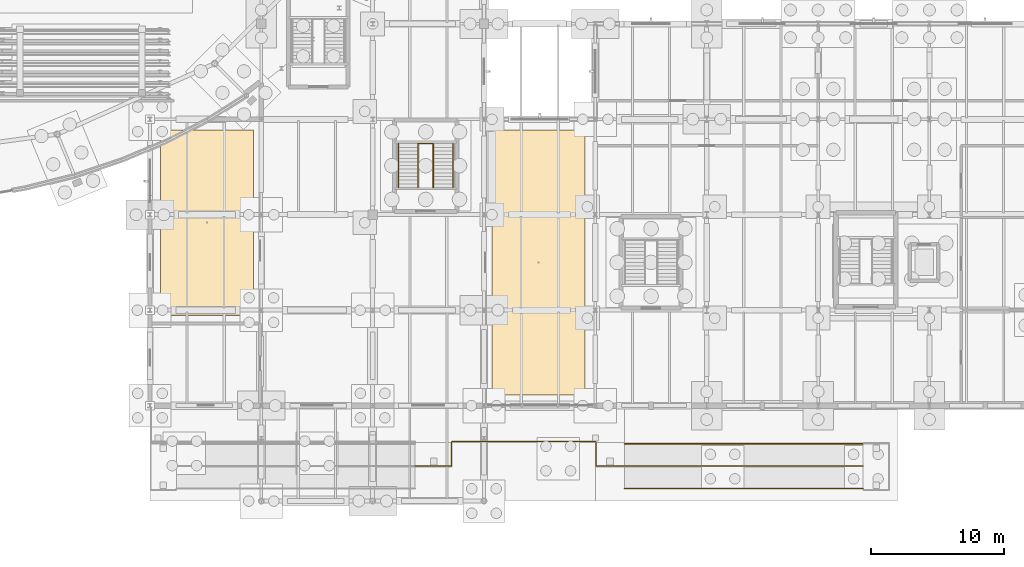
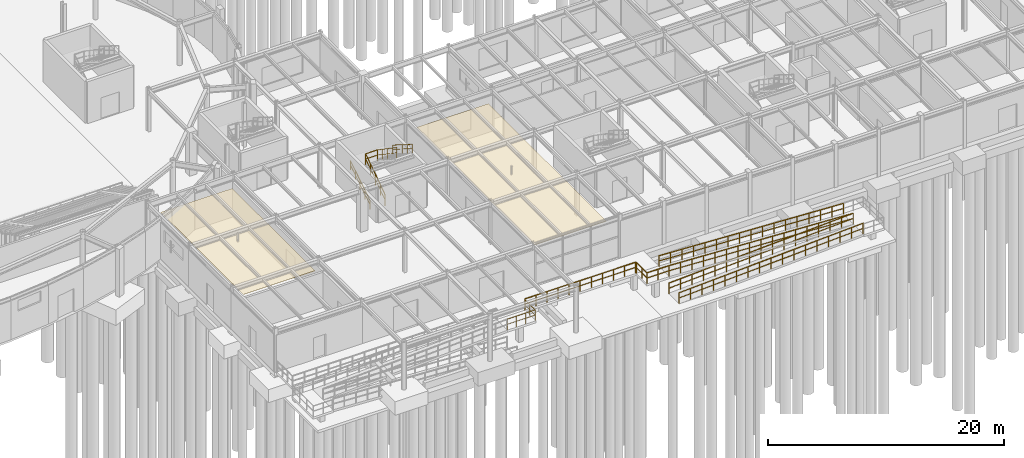
# One storey, part 75 of 93: 12 railings, 2 coverings.
"""IFC4 building model written with IfcOpenShell, lengths in metres."""

from ifc_helpers import new_model, si_unit, derived_unit, direction, frame, origin, origin_2d, place, context, subcontext, project, spatial, polyline, circle, outline, extrude, material, layer, layer_set, type_object, element, save


model = new_model("IFC4")

# Units and contexts
model_context = context("Model", 3, precision=1e-05, world=origin(), true_north=direction((0.0, 1.0)))
body_context = subcontext(model_context, "Body", "Model", "MODEL_VIEW")
ifc_project = project(units=[si_unit("LENGTHUNIT", "METRE"), si_unit("AREAUNIT", "SQUARE_METRE"), si_unit("VOLUMEUNIT", "CUBIC_METRE"), si_unit("PLANEANGLEUNIT", "RADIAN"), si_unit("MASSUNIT", "GRAM", prefix="KILO"), derived_unit("THERMALTRANSMITTANCEUNIT", [(si_unit("MASSUNIT", "GRAM", prefix="KILO"), 1), (si_unit("TIMEUNIT", "SECOND"), -3), (si_unit("THERMODYNAMICTEMPERATUREUNIT", "KELVIN"), -1)])], contexts=[model_context])

# Site, building, storey
site_placement = place(None, origin())
site = spatial("IfcSite", under=ifc_project, at=site_placement, CompositionType="ELEMENT")
building_placement = place(site_placement, origin())
building = spatial("IfcBuilding", under=site, at=building_placement, Name="Kharveza Railside Sports Centre", CompositionType="ELEMENT")
storey_placement = place(building_placement, origin())
storey = spatial("IfcBuildingStorey", under=building, at=storey_placement, Name="L00", CompositionType="ELEMENT", Elevation=0.0)

# Coverings
ifc_material_1 = material(Name="Acoustic mineral-fibre ceiling tile")
ifc_layer = layer(ifc_material_1, 0.0400390625, Name="Acoustic mineral-fibre ceiling tile")
ifc_layer_set = layer_set([ifc_layer], Name="Acoustic mineral-fibre ceiling tile")
covering_type = type_object("IfcCoveringType", Name="CV-CL01", PredefinedType="CEILING", material=ifc_layer_set)
covering_1_placement = place(storey_placement, frame((0.0, 0.0, 3.449951171875)))
element("IfcCovering", 1, at=covering_1_placement, inside=storey, type_object=covering_type, Name="COV-CL-CAFE", PredefinedType="CEILING", context=body_context, shape_type="SweptSolid", body=[
    extrude(outline(polyline([(101.39990234375, 28.0), (108.39990234375, 28.0), (108.39990234375, 8.0), (101.39990234375, 8.0), (101.39990234375, 28.0)])), origin(), (0.0, 0.0, 1.0), 0.0400390625),
])
covering_2_placement = place(storey_placement, frame((0.0, 0.0, 3.449951171875)))
element("IfcCovering", 2, at=covering_2_placement, inside=storey, type_object=covering_type, Name="COV-CL-SHOP", PredefinedType="CEILING", context=body_context, shape_type="SweptSolid", body=[
    extrude(outline(polyline([(76.39990234375, 28.0), (83.39990234375, 28.0), (83.39990234375, 14.0), (76.39990234375, 14.0), (76.39990234375, 28.0)])), origin(), (0.0, 0.0, 1.0), 0.0400390625),
])

# Railings
ifc_material_2 = material(Name="Steel S275JR", Category="steel")
railing_type_1 = type_object("IfcRailingType", Name="RL-GD110", PredefinedType="GUARDRAIL", material=ifc_material_2)
railing_1_placement = place(storey_placement, frame((98.39990234375, 4.47998046875, 0.0)))
element("IfcRailing", 3, at=railing_1_placement, inside=storey, type_object=railing_type_1, Name="RL-PLINTH-S-2", PredefinedType="GUARDRAIL", context=body_context, shape_type="SweptSolid", body=[
    extrude(circle(Radius=0.02392578125, at=origin_2d()), frame((0.0, 0.0, 1.09619140625), z_axis=(1.0, 0.0, 0.0), x_axis=(0.0, 1.0, 0.0)), (0.0, 0.0, 1.0), 10.800048828125),
    extrude(circle(Radius=0.01611328125, at=origin_2d()), frame((0.0, 0.0, 0.56005859375), z_axis=(1.0, 0.0, 0.0), x_axis=(0.0, 1.0, 0.0)), (0.0, 0.0, 1.0), 10.800048828125),
    extrude(circle(Radius=0.02099609375, at=origin_2d()), origin(), (0.0, 0.0, 1.0), 1.072021484375),
    extrude(circle(Radius=0.02099609375, at=origin_2d()), frame((1.080078125, 0.0, 0.0)), (0.0, 0.0, 1.0), 1.072021484375),
    extrude(circle(Radius=0.02099609375, at=origin_2d()), frame((2.159912109375, 0.0, 0.0)), (0.0, 0.0, 1.0), 1.072021484375),
    extrude(circle(Radius=0.02099609375, at=origin_2d()), frame((3.239990234375, 0.0, 0.0)), (0.0, 0.0, 1.0), 1.072021484375),
    extrude(circle(Radius=0.02099609375, at=origin_2d()), frame((4.320068359375, 0.0, 0.0)), (0.0, 0.0, 1.0), 1.072021484375),
    extrude(circle(Radius=0.02099609375, at=origin_2d()), frame((5.39990234375, 0.0, 0.0)), (0.0, 0.0, 1.0), 1.072021484375),
    extrude(circle(Radius=0.02099609375, at=origin_2d()), frame((6.47998046875, 0.0, 0.0)), (0.0, 0.0, 1.0), 1.072021484375),
    extrude(circle(Radius=0.02099609375, at=origin_2d()), frame((7.56005859375, 0.0, 0.0)), (0.0, 0.0, 1.0), 1.072021484375),
    extrude(circle(Radius=0.02099609375, at=origin_2d()), frame((8.64013671875, 0.0, 0.0)), (0.0, 0.0, 1.0), 1.072021484375),
    extrude(circle(Radius=0.02099609375, at=origin_2d()), frame((9.719970703125, 0.0, 0.0)), (0.0, 0.0, 1.0), 1.072021484375),
    extrude(circle(Radius=0.02099609375, at=origin_2d()), frame((10.800048828125, 0.0, 0.0)), (0.0, 0.0, 1.0), 1.072021484375),
])
railing_2_placement = place(storey_placement, frame((95.60009765625, 2.639892578125, 0.0)))
element("IfcRailing", 4, at=railing_2_placement, inside=storey, type_object=railing_type_1, Name="RL-RMP-EXT-W-LND2", PredefinedType="GUARDRAIL", context=body_context, shape_type="SweptSolid", body=[
    extrude(circle(Radius=0.02392578125, at=origin_2d()), frame((0.0, 0.0, 1.09619140625), z_axis=(1.0, 0.0, 0.0), x_axis=(0.0, 1.0, 0.0)), (0.0, 0.0, 1.0), 2.739990234375),
    extrude(circle(Radius=0.01611328125, at=origin_2d()), frame((0.0, 0.0, 0.56005859375), z_axis=(1.0, 0.0, 0.0), x_axis=(0.0, 1.0, 0.0)), (0.0, 0.0, 1.0), 2.739990234375),
    extrude(circle(Radius=0.02392578125, at=origin_2d()), frame((2.739990234375, 0.0, 1.09619140625), z_axis=(0.0, 1.0, 0.0), x_axis=(-1.0, 0.0, 0.0)), (0.0, 0.0, 1.0), 1.760009765625),
    extrude(circle(Radius=0.01611328125, at=origin_2d()), frame((2.739990234375, 0.0, 0.56005859375), z_axis=(0.0, 1.0, 0.0), x_axis=(-1.0, 0.0, 0.0)), (0.0, 0.0, 1.0), 1.760009765625),
    extrude(circle(Radius=0.02099609375, at=origin_2d()), origin(), (0.0, 0.0, 1.0), 1.072021484375),
    extrude(circle(Radius=0.02099609375, at=origin_2d()), frame((0.913330078125, 0.0, 0.0)), (0.0, 0.0, 1.0), 1.072021484375),
    extrude(circle(Radius=0.02099609375, at=origin_2d()), frame((1.82666015625, 0.0, 0.0)), (0.0, 0.0, 1.0), 1.072021484375),
    extrude(circle(Radius=0.02099609375, at=origin_2d()), frame((2.739990234375, 0.0, 0.0)), (0.0, 0.0, 1.0), 1.072021484375),
    extrude(circle(Radius=0.02099609375, at=origin_2d()), frame((2.739990234375, 0.8798828125, 0.0)), (0.0, 0.0, 1.0), 1.072021484375),
    extrude(circle(Radius=0.02099609375, at=origin_2d()), frame((2.739990234375, 1.760009765625, 0.0)), (0.0, 0.0, 1.0), 1.072021484375),
])
railing_3_placement = place(storey_placement, frame((111.39990234375, 0.9599609375, -1.800048828125)))
element("IfcRailing", 5, at=railing_3_placement, inside=storey, type_object=railing_type_1, Name="RL-RMP-EXT-E-GD1S", PredefinedType="GUARDRAIL", context=body_context, shape_type="SweptSolid", body=[
    extrude(circle(Radius=0.02392578125, at=origin_2d()), frame((0.0, 0.0, 1.09619140625), z_axis=(0.998751933465, 0.0, 0.049945724537), x_axis=(0.0, 1.0, 0.0)), (0.0, 0.0, 1.0), 18.0224609375),
    extrude(circle(Radius=0.01611328125, at=origin_2d()), frame((0.0, 0.0, 0.56005859375), z_axis=(0.998751933465, 0.0, 0.049945724537), x_axis=(0.0, 1.0, 0.0)), (0.0, 0.0, 1.0), 18.0224609375),
    extrude(circle(Radius=0.02099609375, at=origin_2d()), origin(), (0.0, 0.0, 1.0), 1.072021484375),
    extrude(circle(Radius=0.02099609375, at=origin_2d()), frame((1.125, 0.0, 0.05615234375)), (0.0, 0.0, 1.0), 1.072021484375),
    extrude(circle(Radius=0.02099609375, at=origin_2d()), frame((2.25, 0.0, 0.112548828125)), (0.0, 0.0, 1.0), 1.072021484375),
    extrude(circle(Radius=0.02099609375, at=origin_2d()), frame((3.375, 0.0, 0.168701171875)), (0.0, 0.0, 1.0), 1.072021484375),
    extrude(circle(Radius=0.02099609375, at=origin_2d()), frame((4.5, 0.0, 0.22509765625)), (0.0, 0.0, 1.0), 1.072021484375),
    extrude(circle(Radius=0.02099609375, at=origin_2d()), frame((5.625, 0.0, 0.28125)), (0.0, 0.0, 1.0), 1.072021484375),
    extrude(circle(Radius=0.02099609375, at=origin_2d()), frame((6.75, 0.0, 0.337646484375)), (0.0, 0.0, 1.0), 1.072021484375),
    extrude(circle(Radius=0.02099609375, at=origin_2d()), frame((7.875, 0.0, 0.393798828125)), (0.0, 0.0, 1.0), 1.072021484375),
    extrude(circle(Radius=0.02099609375, at=origin_2d()), frame((9.0, 0.0, 0.4501953125)), (0.0, 0.0, 1.0), 1.072021484375),
    extrude(circle(Radius=0.02099609375, at=origin_2d()), frame((10.125, 0.0, 0.50634765625)), (0.0, 0.0, 1.0), 1.072021484375),
    extrude(circle(Radius=0.02099609375, at=origin_2d()), frame((11.25, 0.0, 0.5625)), (0.0, 0.0, 1.0), 1.072021484375),
    extrude(circle(Radius=0.02099609375, at=origin_2d()), frame((12.375, 0.0, 0.618896484375)), (0.0, 0.0, 1.0), 1.072021484375),
    extrude(circle(Radius=0.02099609375, at=origin_2d()), frame((13.5, 0.0, 0.675048828125)), (0.0, 0.0, 1.0), 1.072021484375),
    extrude(circle(Radius=0.02099609375, at=origin_2d()), frame((14.625, 0.0, 0.7314453125)), (0.0, 0.0, 1.0), 1.072021484375),
    extrude(circle(Radius=0.02099609375, at=origin_2d()), frame((15.75, 0.0, 0.78759765625)), (0.0, 0.0, 1.0), 1.072021484375),
    extrude(circle(Radius=0.02099609375, at=origin_2d()), frame((16.875, 0.0, 0.843994140625)), (0.0, 0.0, 1.0), 1.072021484375),
    extrude(circle(Radius=0.02099609375, at=origin_2d()), frame((18.0, 0.0, 0.900146484375)), (0.0, 0.0, 1.0), 1.072021484375),
])
railing_4_placement = place(storey_placement, frame((129.39990234375, 2.639892578125, -0.89990234375)))
element("IfcRailing", 6, at=railing_4_placement, inside=storey, type_object=railing_type_1, Name="RL-RMP-EXT-E-GD2S", PredefinedType="GUARDRAIL", context=body_context, shape_type="SweptSolid", body=[
    extrude(circle(Radius=0.02392578125, at=origin_2d()), frame((0.0, 0.0, 1.09619140625), z_axis=(-0.998752609117, 0.0, 0.049932211876), x_axis=(0.0, -1.0, 0.0)), (0.0, 0.0, 1.0), 18.0224609375),
    extrude(circle(Radius=0.01611328125, at=origin_2d()), frame((0.0, 0.0, 0.56005859375), z_axis=(-0.998752609117, 0.0, 0.049932211876), x_axis=(0.0, -1.0, 0.0)), (0.0, 0.0, 1.0), 18.0224609375),
    extrude(circle(Radius=0.02099609375, at=origin_2d()), origin(), (0.0, 0.0, 1.0), 1.072021484375),
    extrude(circle(Radius=0.02099609375, at=origin_2d()), frame((-1.125, 0.0, 0.05615234375)), (0.0, 0.0, 1.0), 1.072021484375),
    extrude(circle(Radius=0.02099609375, at=origin_2d()), frame((-2.25, 0.0, 0.112548828125)), (0.0, 0.0, 1.0), 1.072021484375),
    extrude(circle(Radius=0.02099609375, at=origin_2d()), frame((-3.375, 0.0, 0.168701171875)), (0.0, 0.0, 1.0), 1.072021484375),
    extrude(circle(Radius=0.02099609375, at=origin_2d()), frame((-4.5, 0.0, 0.22509765625)), (0.0, 0.0, 1.0), 1.072021484375),
    extrude(circle(Radius=0.02099609375, at=origin_2d()), frame((-5.625, 0.0, 0.28125)), (0.0, 0.0, 1.0), 1.072021484375),
    extrude(circle(Radius=0.02099609375, at=origin_2d()), frame((-6.75, 0.0, 0.33740234375)), (0.0, 0.0, 1.0), 1.072021484375),
    extrude(circle(Radius=0.02099609375, at=origin_2d()), frame((-7.875, 0.0, 0.393798828125)), (0.0, 0.0, 1.0), 1.072021484375),
    extrude(circle(Radius=0.02099609375, at=origin_2d()), frame((-9.0, 0.0, 0.449951171875)), (0.0, 0.0, 1.0), 1.072021484375),
    extrude(circle(Radius=0.02099609375, at=origin_2d()), frame((-10.125, 0.0, 0.506103515625)), (0.0, 0.0, 1.0), 1.072021484375),
    extrude(circle(Radius=0.02099609375, at=origin_2d()), frame((-11.25, 0.0, 0.5625)), (0.0, 0.0, 1.0), 1.072021484375),
    extrude(circle(Radius=0.02099609375, at=origin_2d()), frame((-12.375, 0.0, 0.61865234375)), (0.0, 0.0, 1.0), 1.072021484375),
    extrude(circle(Radius=0.02099609375, at=origin_2d()), frame((-13.5, 0.0, 0.6748046875)), (0.0, 0.0, 1.0), 1.072021484375),
    extrude(circle(Radius=0.02099609375, at=origin_2d()), frame((-14.625, 0.0, 0.731201171875)), (0.0, 0.0, 1.0), 1.072021484375),
    extrude(circle(Radius=0.02099609375, at=origin_2d()), frame((-15.75, 0.0, 0.787353515625)), (0.0, 0.0, 1.0), 1.072021484375),
    extrude(circle(Radius=0.02099609375, at=origin_2d()), frame((-16.875, 0.0, 0.84375)), (0.0, 0.0, 1.0), 1.072021484375),
    extrude(circle(Radius=0.02099609375, at=origin_2d()), frame((-18.0, 0.0, 0.89990234375)), (0.0, 0.0, 1.0), 1.072021484375),
])
railing_5_placement = place(storey_placement, frame((111.39990234375, 2.639892578125, -1.800048828125)))
element("IfcRailing", 7, at=railing_5_placement, inside=storey, type_object=railing_type_1, Name="RL-RMP-EXT-E-GD1N", PredefinedType="GUARDRAIL", context=body_context, shape_type="SweptSolid", body=[
    extrude(circle(Radius=0.02392578125, at=origin_2d()), frame((0.0, 0.0, 1.09619140625), z_axis=(0.998751933465, 0.0, 0.049945724537), x_axis=(0.0, 1.0, 0.0)), (0.0, 0.0, 1.0), 18.0224609375),
    extrude(circle(Radius=0.01611328125, at=origin_2d()), frame((0.0, 0.0, 0.56005859375), z_axis=(0.998751933465, 0.0, 0.049945724537), x_axis=(0.0, 1.0, 0.0)), (0.0, 0.0, 1.0), 18.0224609375),
    extrude(circle(Radius=0.02099609375, at=origin_2d()), origin(), (0.0, 0.0, 1.0), 1.072021484375),
    extrude(circle(Radius=0.02099609375, at=origin_2d()), frame((1.125, 0.0, 0.05615234375)), (0.0, 0.0, 1.0), 1.072021484375),
    extrude(circle(Radius=0.02099609375, at=origin_2d()), frame((2.25, 0.0, 0.112548828125)), (0.0, 0.0, 1.0), 1.072021484375),
    extrude(circle(Radius=0.02099609375, at=origin_2d()), frame((3.375, 0.0, 0.168701171875)), (0.0, 0.0, 1.0), 1.072021484375),
    extrude(circle(Radius=0.02099609375, at=origin_2d()), frame((4.5, 0.0, 0.22509765625)), (0.0, 0.0, 1.0), 1.072021484375),
    extrude(circle(Radius=0.02099609375, at=origin_2d()), frame((5.625, 0.0, 0.28125)), (0.0, 0.0, 1.0), 1.072021484375),
    extrude(circle(Radius=0.02099609375, at=origin_2d()), frame((6.75, 0.0, 0.337646484375)), (0.0, 0.0, 1.0), 1.072021484375),
    extrude(circle(Radius=0.02099609375, at=origin_2d()), frame((7.875, 0.0, 0.393798828125)), (0.0, 0.0, 1.0), 1.072021484375),
    extrude(circle(Radius=0.02099609375, at=origin_2d()), frame((9.0, 0.0, 0.4501953125)), (0.0, 0.0, 1.0), 1.072021484375),
    extrude(circle(Radius=0.02099609375, at=origin_2d()), frame((10.125, 0.0, 0.50634765625)), (0.0, 0.0, 1.0), 1.072021484375),
    extrude(circle(Radius=0.02099609375, at=origin_2d()), frame((11.25, 0.0, 0.5625)), (0.0, 0.0, 1.0), 1.072021484375),
    extrude(circle(Radius=0.02099609375, at=origin_2d()), frame((12.375, 0.0, 0.618896484375)), (0.0, 0.0, 1.0), 1.072021484375),
    extrude(circle(Radius=0.02099609375, at=origin_2d()), frame((13.5, 0.0, 0.675048828125)), (0.0, 0.0, 1.0), 1.072021484375),
    extrude(circle(Radius=0.02099609375, at=origin_2d()), frame((14.625, 0.0, 0.7314453125)), (0.0, 0.0, 1.0), 1.072021484375),
    extrude(circle(Radius=0.02099609375, at=origin_2d()), frame((15.75, 0.0, 0.78759765625)), (0.0, 0.0, 1.0), 1.072021484375),
    extrude(circle(Radius=0.02099609375, at=origin_2d()), frame((16.875, 0.0, 0.843994140625)), (0.0, 0.0, 1.0), 1.072021484375),
    extrude(circle(Radius=0.02099609375, at=origin_2d()), frame((18.0, 0.0, 0.900146484375)), (0.0, 0.0, 1.0), 1.072021484375),
])
railing_6_placement = place(storey_placement, frame((129.39990234375, 4.320068359375, -0.89990234375)))
element("IfcRailing", 8, at=railing_6_placement, inside=storey, type_object=railing_type_1, Name="RL-RMP-EXT-E-GD2N", PredefinedType="GUARDRAIL", context=body_context, shape_type="SweptSolid", body=[
    extrude(circle(Radius=0.02392578125, at=origin_2d()), frame((0.0, 0.0, 1.09619140625), z_axis=(-0.998752609117, 0.0, 0.049932211876), x_axis=(0.0, -1.0, 0.0)), (0.0, 0.0, 1.0), 18.0224609375),
    extrude(circle(Radius=0.01611328125, at=origin_2d()), frame((0.0, 0.0, 0.56005859375), z_axis=(-0.998752609117, 0.0, 0.049932211876), x_axis=(0.0, -1.0, 0.0)), (0.0, 0.0, 1.0), 18.0224609375),
    extrude(circle(Radius=0.02099609375, at=origin_2d()), origin(), (0.0, 0.0, 1.0), 1.072021484375),
    extrude(circle(Radius=0.02099609375, at=origin_2d()), frame((-1.125, 0.0, 0.05615234375)), (0.0, 0.0, 1.0), 1.072021484375),
    extrude(circle(Radius=0.02099609375, at=origin_2d()), frame((-2.25, 0.0, 0.112548828125)), (0.0, 0.0, 1.0), 1.072021484375),
    extrude(circle(Radius=0.02099609375, at=origin_2d()), frame((-3.375, 0.0, 0.168701171875)), (0.0, 0.0, 1.0), 1.072021484375),
    extrude(circle(Radius=0.02099609375, at=origin_2d()), frame((-4.5, 0.0, 0.22509765625)), (0.0, 0.0, 1.0), 1.072021484375),
    extrude(circle(Radius=0.02099609375, at=origin_2d()), frame((-5.625, 0.0, 0.28125)), (0.0, 0.0, 1.0), 1.072021484375),
    extrude(circle(Radius=0.02099609375, at=origin_2d()), frame((-6.75, 0.0, 0.33740234375)), (0.0, 0.0, 1.0), 1.072021484375),
    extrude(circle(Radius=0.02099609375, at=origin_2d()), frame((-7.875, 0.0, 0.393798828125)), (0.0, 0.0, 1.0), 1.072021484375),
    extrude(circle(Radius=0.02099609375, at=origin_2d()), frame((-9.0, 0.0, 0.449951171875)), (0.0, 0.0, 1.0), 1.072021484375),
    extrude(circle(Radius=0.02099609375, at=origin_2d()), frame((-10.125, 0.0, 0.506103515625)), (0.0, 0.0, 1.0), 1.072021484375),
    extrude(circle(Radius=0.02099609375, at=origin_2d()), frame((-11.25, 0.0, 0.5625)), (0.0, 0.0, 1.0), 1.072021484375),
    extrude(circle(Radius=0.02099609375, at=origin_2d()), frame((-12.375, 0.0, 0.61865234375)), (0.0, 0.0, 1.0), 1.072021484375),
    extrude(circle(Radius=0.02099609375, at=origin_2d()), frame((-13.5, 0.0, 0.6748046875)), (0.0, 0.0, 1.0), 1.072021484375),
    extrude(circle(Radius=0.02099609375, at=origin_2d()), frame((-14.625, 0.0, 0.731201171875)), (0.0, 0.0, 1.0), 1.072021484375),
    extrude(circle(Radius=0.02099609375, at=origin_2d()), frame((-15.75, 0.0, 0.787353515625)), (0.0, 0.0, 1.0), 1.072021484375),
    extrude(circle(Radius=0.02099609375, at=origin_2d()), frame((-16.875, 0.0, 0.84375)), (0.0, 0.0, 1.0), 1.072021484375),
    extrude(circle(Radius=0.02099609375, at=origin_2d()), frame((-18.0, 0.0, 0.89990234375)), (0.0, 0.0, 1.0), 1.072021484375),
])
railing_7_placement = place(storey_placement, frame((111.39990234375, 2.639892578125, 0.0)))
element("IfcRailing", 9, at=railing_7_placement, inside=storey, type_object=railing_type_1, Name="RL-RMP-EXT-E-LND2", PredefinedType="GUARDRAIL", context=body_context, shape_type="SweptSolid", body=[
    extrude(circle(Radius=0.02392578125, at=origin_2d()), frame((0.0, 0.0, 1.09619140625), z_axis=(-1.0, 0.0, 0.0), x_axis=(0.0, -1.0, 0.0)), (0.0, 0.0, 1.0), 2.139892578125),
    extrude(circle(Radius=0.01611328125, at=origin_2d()), frame((0.0, 0.0, 0.56005859375), z_axis=(-1.0, 0.0, 0.0), x_axis=(0.0, -1.0, 0.0)), (0.0, 0.0, 1.0), 2.139892578125),
    extrude(circle(Radius=0.02392578125, at=origin_2d()), frame((-2.139892578125, 0.0, 1.09619140625), z_axis=(0.0, 1.0, 0.0), x_axis=(-1.0, 0.0, 0.0)), (0.0, 0.0, 1.0), 1.760009765625),
    extrude(circle(Radius=0.01611328125, at=origin_2d()), frame((-2.139892578125, 0.0, 0.56005859375), z_axis=(0.0, 1.0, 0.0), x_axis=(-1.0, 0.0, 0.0)), (0.0, 0.0, 1.0), 1.760009765625),
    extrude(circle(Radius=0.02099609375, at=origin_2d()), origin(), (0.0, 0.0, 1.0), 1.072021484375),
    extrude(circle(Radius=0.02099609375, at=origin_2d()), frame((-1.06982421875, 0.0, 0.0)), (0.0, 0.0, 1.0), 1.072021484375),
    extrude(circle(Radius=0.02099609375, at=origin_2d()), frame((-2.139892578125, 0.0, 0.0)), (0.0, 0.0, 1.0), 1.072021484375),
    extrude(circle(Radius=0.02099609375, at=origin_2d()), frame((-2.139892578125, 0.8798828125, 0.0)), (0.0, 0.0, 1.0), 1.072021484375),
    extrude(circle(Radius=0.02099609375, at=origin_2d()), frame((-2.139892578125, 1.760009765625, 0.0)), (0.0, 0.0, 1.0), 1.072021484375),
])
railing_8_placement = place(storey_placement, frame((95.830078125, 23.659912109375, 0.0)))
element("IfcRailing", 10, at=railing_8_placement, inside=storey, type_object=railing_type_1, Name="STR-ST10-L00-GD1", PredefinedType="GUARDRAIL", context=body_context, shape_type="SweptSolid", body=[
    extrude(circle(Radius=0.02392578125, at=origin_2d()), frame((0.0, 0.0, 1.09619140625), z_axis=(0.0, 0.826231222393, 0.56333113454), x_axis=(-1.0, 0.0, 0.0)), (0.0, 0.0, 1.0), 3.994140625),
    extrude(circle(Radius=0.01611328125, at=origin_2d()), frame((0.0, 0.0, 0.56005859375), z_axis=(0.0, 0.826231222393, 0.56333113454), x_axis=(-1.0, 0.0, 0.0)), (0.0, 0.0, 1.0), 3.994140625),
    extrude(circle(Radius=0.02099609375, at=origin_2d()), origin(), (0.0, 0.0, 1.0), 1.072021484375),
    extrude(circle(Radius=0.02099609375, at=origin_2d()), frame((0.0, 0.824951171875, 0.5625)), (0.0, 0.0, 1.0), 1.072021484375),
    extrude(circle(Radius=0.02099609375, at=origin_2d()), frame((0.0, 1.64990234375, 1.125)), (0.0, 0.0, 1.0), 1.072021484375),
    extrude(circle(Radius=0.02099609375, at=origin_2d()), frame((0.0, 2.47509765625, 1.6875)), (0.0, 0.0, 1.0), 1.072021484375),
    extrude(circle(Radius=0.02099609375, at=origin_2d()), frame((0.0, 3.300048828125, 2.25)), (0.0, 0.0, 1.0), 1.072021484375),
])
railing_9_placement = place(storey_placement, frame((96.969970703125, 26.9599609375, 2.25)))
element("IfcRailing", 11, at=railing_9_placement, inside=storey, type_object=railing_type_1, Name="STR-ST10-L00-GD2", PredefinedType="GUARDRAIL", context=body_context, shape_type="SweptSolid", body=[
    extrude(circle(Radius=0.02392578125, at=origin_2d()), frame((0.0, 0.0, 1.09619140625), z_axis=(0.0, -0.826231222393, 0.56333113454), x_axis=(1.0, 0.0, 0.0)), (0.0, 0.0, 1.0), 3.994140625),
    extrude(circle(Radius=0.01611328125, at=origin_2d()), frame((0.0, 0.0, 0.56005859375), z_axis=(0.0, -0.826231222393, 0.56333113454), x_axis=(1.0, 0.0, 0.0)), (0.0, 0.0, 1.0), 3.994140625),
    extrude(circle(Radius=0.02099609375, at=origin_2d()), origin(), (0.0, 0.0, 1.0), 1.072021484375),
    extrude(circle(Radius=0.02099609375, at=origin_2d()), frame((0.0, -0.824951171875, 0.5625)), (0.0, 0.0, 1.0), 1.072021484375),
    extrude(circle(Radius=0.02099609375, at=origin_2d()), frame((0.0, -1.64990234375, 1.125)), (0.0, 0.0, 1.0), 1.072021484375),
    extrude(circle(Radius=0.02099609375, at=origin_2d()), frame((0.0, -2.47509765625, 1.6875)), (0.0, 0.0, 1.0), 1.072021484375),
    extrude(circle(Radius=0.02099609375, at=origin_2d()), frame((0.0, -3.300048828125, 2.25)), (0.0, 0.0, 1.0), 1.072021484375),
])
railing_10_placement = place(storey_placement, frame((95.830078125, 26.9599609375, 2.25)))
element("IfcRailing", 12, at=railing_10_placement, inside=storey, type_object=railing_type_1, Name="STR-ST10-L00-GDH", PredefinedType="GUARDRAIL", context=body_context, shape_type="SweptSolid", body=[
    extrude(circle(Radius=0.02392578125, at=origin_2d()), frame((0.0, 0.0, 1.09619140625), z_axis=(1.0, 0.0, 0.0), x_axis=(0.0, 1.0, 0.0)), (0.0, 0.0, 1.0), 1.139892578125),
    extrude(circle(Radius=0.01611328125, at=origin_2d()), frame((0.0, 0.0, 0.56005859375), z_axis=(1.0, 0.0, 0.0), x_axis=(0.0, 1.0, 0.0)), (0.0, 0.0, 1.0), 1.139892578125),
    extrude(circle(Radius=0.02099609375, at=origin_2d()), origin(), (0.0, 0.0, 1.0), 1.072021484375),
    extrude(circle(Radius=0.02099609375, at=origin_2d()), frame((1.139892578125, 0.0, 0.0)), (0.0, 0.0, 1.0), 1.072021484375),
])
railing_type_2 = type_object("IfcRailingType", Name="RL-HR092", PredefinedType="HANDRAIL", material=ifc_material_2)
railing_11_placement = place(storey_placement, frame((94.340087890625, 23.659912109375, 0.173095703125)))
element("IfcRailing", 13, at=railing_11_placement, inside=storey, type_object=railing_type_2, Name="STR-ST10-L00-HR1", PredefinedType="HANDRAIL", context=body_context, shape_type="SweptSolid", body=[
    extrude(circle(Radius=0.02392578125, at=origin_2d()), frame((0.0, 0.0, 0.89599609375), z_axis=(0.0, 0.846337383501, 0.532647194011), x_axis=(-1.0, 0.0, 0.0)), (0.0, 0.0, 1.0), 3.899169921875),
    extrude(circle(Radius=0.01611328125, at=origin_2d()), frame((0.0, 0.0, 0.4599609375), z_axis=(0.0, 0.846337383501, 0.532647194011), x_axis=(-1.0, 0.0, 0.0)), (0.0, 0.0, 1.0), 3.899169921875),
    extrude(circle(Radius=0.02099609375, at=origin_2d()), origin(), (0.0, 0.0, 1.0), 0.871826171875),
    extrude(circle(Radius=0.02099609375, at=origin_2d()), frame((0.0, 0.824951171875, 0.519287109375)), (0.0, 0.0, 1.0), 0.871826171875),
    extrude(circle(Radius=0.02099609375, at=origin_2d()), frame((0.0, 1.64990234375, 1.03857421875)), (0.0, 0.0, 1.0), 0.871826171875),
    extrude(circle(Radius=0.02099609375, at=origin_2d()), frame((0.0, 2.47509765625, 1.5576171875)), (0.0, 0.0, 1.0), 0.871826171875),
    extrude(circle(Radius=0.02099609375, at=origin_2d()), frame((0.0, 3.300048828125, 2.076904296875)), (0.0, 0.0, 1.0), 0.871826171875),
])
railing_12_placement = place(storey_placement, frame((98.4599609375, 26.9599609375, 2.423095703125)))
element("IfcRailing", 14, at=railing_12_placement, inside=storey, type_object=railing_type_2, Name="STR-ST10-L00-HR2", PredefinedType="HANDRAIL", context=body_context, shape_type="SweptSolid", body=[
    extrude(circle(Radius=0.02392578125, at=origin_2d()), frame((0.0, 0.0, 0.89599609375), z_axis=(0.0, -0.846337383501, 0.532647194011), x_axis=(1.0, 0.0, 0.0)), (0.0, 0.0, 1.0), 3.899169921875),
    extrude(circle(Radius=0.01611328125, at=origin_2d()), frame((0.0, 0.0, 0.4599609375), z_axis=(0.0, -0.846337383501, 0.532647194011), x_axis=(1.0, 0.0, 0.0)), (0.0, 0.0, 1.0), 3.899169921875),
    extrude(circle(Radius=0.02099609375, at=origin_2d()), origin(), (0.0, 0.0, 1.0), 0.871826171875),
    extrude(circle(Radius=0.02099609375, at=origin_2d()), frame((0.0, -0.824951171875, 0.519287109375)), (0.0, 0.0, 1.0), 0.871826171875),
    extrude(circle(Radius=0.02099609375, at=origin_2d()), frame((0.0, -1.64990234375, 1.03857421875)), (0.0, 0.0, 1.0), 0.871826171875),
    extrude(circle(Radius=0.02099609375, at=origin_2d()), frame((0.0, -2.47509765625, 1.5576171875)), (0.0, 0.0, 1.0), 0.871826171875),
    extrude(circle(Radius=0.02099609375, at=origin_2d()), frame((0.0, -3.300048828125, 2.076904296875)), (0.0, 0.0, 1.0), 0.871826171875),
])

save(model, "model.ifc")
